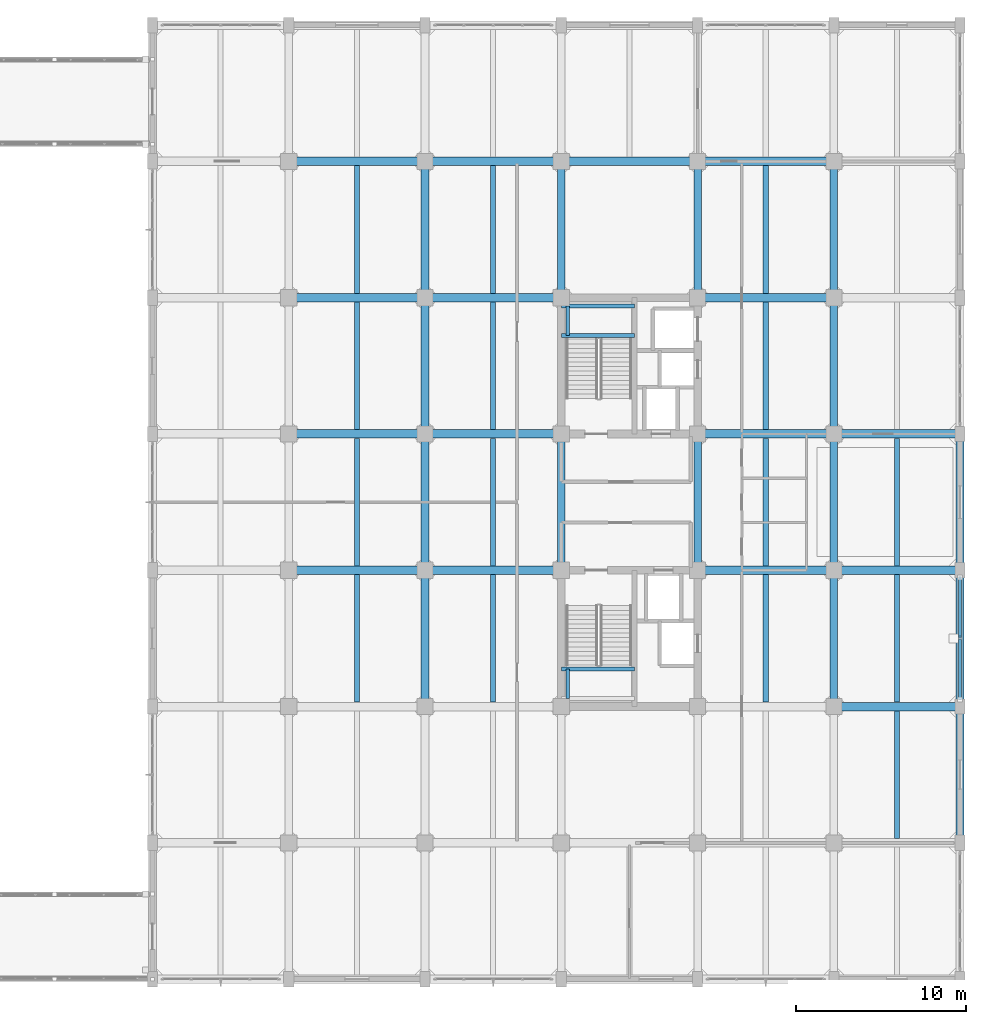
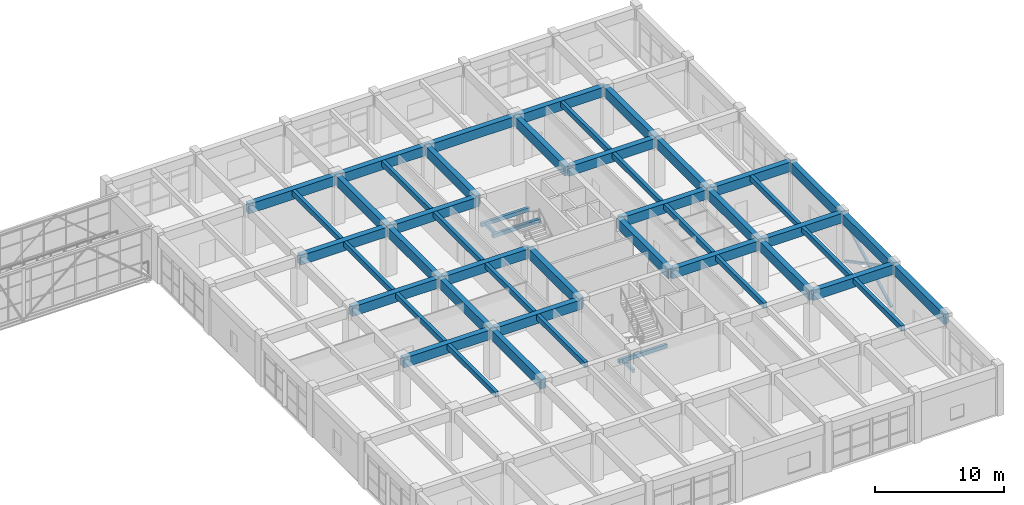
# One storey, part 190 of 248: 51 beams, 3 members.
"""IFC4 building model written with IfcOpenShell, lengths in metres."""

from ifc_helpers import new_model, si_unit, direction, frame, origin, origin_2d, place, context, subcontext, project, spatial, rectangle, hollow_rectangle, extrude, material, material_profile, profile_set, type_object, element, save


model = new_model("IFC4")

# Units and contexts
model_context = context("Model", 3, precision=1e-05, world=origin(), true_north=direction((0.0, 1.0)))
body_context = subcontext(model_context, "Body", "Model", "MODEL_VIEW")
ifc_project = project(units=[si_unit("LENGTHUNIT", "METRE"), si_unit("AREAUNIT", "SQUARE_METRE"), si_unit("VOLUMEUNIT", "CUBIC_METRE"), si_unit("PLANEANGLEUNIT", "RADIAN"), si_unit("MASSUNIT", "GRAM", prefix="KILO")], contexts=[model_context])

# Site, building, storey
site_placement = place(None, origin())
site = spatial("IfcSite", under=ifc_project, at=site_placement, CompositionType="ELEMENT")
building_placement = place(site_placement, origin())
building = spatial("IfcBuilding", under=site, at=building_placement, Name="Canggui Botanical Conservatory", CompositionType="ELEMENT")
storey_placement = place(building_placement, frame((0.0, 0.0, 5.39990234375)))
storey = spatial("IfcBuildingStorey", under=building, at=storey_placement, Name="L02", CompositionType="ELEMENT", Elevation=5.39990234375)

# Beams
ifc_material_1 = material(Name="Concrete C35", Category="concrete")
ifc_material_profile_1 = material_profile(ifc_material_1, rectangle(XDim=0.300048828125, YDim=0.5, at=origin_2d()), Name="RB 300x500")
ifc_profile_set_1 = profile_set([ifc_material_profile_1], Name="Concrete C35")
beam_type_1 = type_object("IfcBeamType", Name="BM-JST02", PredefinedType="JOIST", material=ifc_profile_set_1)
for number, where, z_axis, x_axis, name in (
    (1, (142.0, 42.2548828125, 4.27001953125), (0.0, 1.0, 0.0), (-1.0, 0.0, 0.0), "Secondary Floor Joist L02-2-3"),
    (2, (142.0, 50.2548828125, 4.27001953125), (0.0, 1.0, 0.0), (-1.0, 0.0, 0.0), "Secondary Floor Joist L02-2-4"),
    (3, (142.0, 58.2548828125, 4.27001953125), (0.0, 1.0, 0.0), (-1.0, 0.0, 0.0), "Secondary Floor Joist L02-2-5"),
    (4, (142.0, 66.2548828125, 4.27001953125), (0.0, 1.0, 0.0), (-1.0, 0.0, 0.0), "Secondary Floor Joist L02-2-6"),
    (5, (150.0, 42.2548828125, 4.27001953125), (0.0, 1.0, 0.0), (-1.0, 0.0, 0.0), "Secondary Floor Joist L02-3-3"),
    (6, (150.0, 50.2548828125, 4.27001953125), (0.0, 1.0, 0.0), (-1.0, 0.0, 0.0), "Secondary Floor Joist L02-3-4"),
    (7, (150.0, 58.2548828125, 4.27001953125), (0.0, 1.0, 0.0), (-1.0, 0.0, 0.0), "Secondary Floor Joist L02-3-5"),
    (8, (150.0, 66.2548828125, 4.27001953125), (0.0, 1.0, 0.0), (-1.0, 0.0, 0.0), "Secondary Floor Joist L02-3-6"),
    (9, (166.0, 42.2548828125, 4.27001953125), (0.0, 1.0, 0.0), (-1.0, 0.0, 0.0), "Secondary Floor Joist L02-5-3"),
    (10, (166.0, 50.2548828125, 4.27001953125), (0.0, 1.0, 0.0), (-1.0, 0.0, 0.0), "Secondary Floor Joist L02-5-4"),
    (11, (166.0, 58.2548828125, 4.27001953125), (0.0, 1.0, 0.0), (-1.0, 0.0, 0.0), "Secondary Floor Joist L02-5-5"),
    (12, (166.0, 66.2548828125, 4.27001953125), (0.0, 1.0, 0.0), (-1.0, 0.0, 0.0), "Secondary Floor Joist L02-5-6"),
    (13, (173.699951171875, 34.2548828125, 4.27001953125), (0.0, 1.0, 0.0), (-1.0, 0.0, 0.0), "Secondary Floor Joist L02-6-2"),
    (14, (173.699951171875, 42.2548828125, 4.27001953125), (0.0, 1.0, 0.0), (-1.0, 0.0, 0.0), "Secondary Floor Joist L02-6-3"),
    (15, (173.699951171875, 50.2548828125, 4.27001953125), (0.0, 1.0, 0.0), (-1.0, 0.0, 0.0), "Secondary Floor Joist L02-6-4"),
):
    element("IfcBeam", number, at=place(storey_placement, frame(where, z_axis=z_axis, x_axis=x_axis)), inside=storey, type_object=beam_type_1, Name=name, PredefinedType="JOIST", context=body_context, shape_type="SweptSolid", body=[
        extrude(rectangle(XDim=0.300048828125, YDim=0.5, at=origin_2d()), origin(), (0.0, 0.0, 1.0), 7.490234375),
    ])
ifc_material_profile_2 = material_profile(ifc_material_1, rectangle(XDim=0.5, YDim=0.89990234375, at=origin_2d()), Name="RB 500x900")
ifc_profile_set_2 = profile_set([ifc_material_profile_2], Name="Concrete C35")
beam_type_2 = type_object("IfcBeamType", Name="BM-KL03", PredefinedType="BEAM", material=ifc_profile_set_2)
beam_1_placement = place(storey_placement, frame((170.0, 42.0, 4.070068359375), z_axis=(1.0, 0.0, 0.0), x_axis=(0.0, 1.0, 0.0)))
element("IfcBeam", 16, at=beam_1_placement, inside=storey, type_object=beam_type_2, Name="Frame Girder L02 Y42-6", PredefinedType="BEAM", context=body_context, shape_type="SweptSolid", body=[
    extrude(rectangle(XDim=0.5, YDim=0.89990234375, at=origin_2d()), origin(), (0.0, 0.0, 1.0), 7.39990234375),
])
for number, where, z_axis, x_axis, name in (
    (17, (138.0, 50.0, 4.070068359375), (1.0, 0.0, 0.0), (0.0, 1.0, 0.0), "Frame Girder L02 Y50-2"),
    (18, (146.0, 50.0, 4.070068359375), (1.0, 0.0, 0.0), (0.0, 1.0, 0.0), "Frame Girder L02 Y50-3"),
    (19, (162.0, 50.0, 4.070068359375), (1.0, 0.0, 0.0), (0.0, 1.0, 0.0), "Frame Girder L02 Y50-5"),
):
    element("IfcBeam", number, at=place(storey_placement, frame(where, z_axis=z_axis, x_axis=x_axis)), inside=storey, type_object=beam_type_2, Name=name, PredefinedType="BEAM", context=body_context, shape_type="SweptSolid", body=[
        extrude(rectangle(XDim=0.5, YDim=0.89990234375, at=origin_2d()), origin(), (0.0, 0.0, 1.0), 8.0),
    ])
beam_2_placement = place(storey_placement, frame((170.0, 50.0, 4.070068359375), z_axis=(1.0, 0.0, 0.0), x_axis=(0.0, 1.0, 0.0)))
element("IfcBeam", 20, at=beam_2_placement, inside=storey, type_object=beam_type_2, Name="Frame Girder L02 Y50-6", PredefinedType="BEAM", context=body_context, shape_type="SweptSolid", body=[
    extrude(rectangle(XDim=0.5, YDim=0.89990234375, at=origin_2d()), origin(), (0.0, 0.0, 1.0), 7.39990234375),
])
for number, where, z_axis, x_axis, name in (
    (21, (138.0, 58.0, 4.070068359375), (1.0, 0.0, 0.0), (0.0, 1.0, 0.0), "Frame Girder L02 Y58-2"),
    (22, (146.0, 58.0, 4.070068359375), (1.0, 0.0, 0.0), (0.0, 1.0, 0.0), "Frame Girder L02 Y58-3"),
    (23, (162.0, 58.0, 4.070068359375), (1.0, 0.0, 0.0), (0.0, 1.0, 0.0), "Frame Girder L02 Y58-5"),
):
    element("IfcBeam", number, at=place(storey_placement, frame(where, z_axis=z_axis, x_axis=x_axis)), inside=storey, type_object=beam_type_2, Name=name, PredefinedType="BEAM", context=body_context, shape_type="SweptSolid", body=[
        extrude(rectangle(XDim=0.5, YDim=0.89990234375, at=origin_2d()), origin(), (0.0, 0.0, 1.0), 8.0),
    ])
beam_3_placement = place(storey_placement, frame((170.0, 58.0, 4.070068359375), z_axis=(1.0, 0.0, 0.0), x_axis=(0.0, 1.0, 0.0)))
element("IfcBeam", 24, at=beam_3_placement, inside=storey, type_object=beam_type_2, Name="Frame Girder L02 Y58-6", PredefinedType="BEAM", context=body_context, shape_type="SweptSolid", body=[
    extrude(rectangle(XDim=0.5, YDim=0.89990234375, at=origin_2d()), origin(), (0.0, 0.0, 1.0), 7.39990234375),
])
for number, where, z_axis, x_axis, name in (
    (25, (138.0, 66.0, 4.070068359375), (1.0, 0.0, 0.0), (0.0, 1.0, 0.0), "Frame Girder L02 Y66-2"),
    (26, (146.0, 66.0, 4.070068359375), (1.0, 0.0, 0.0), (0.0, 1.0, 0.0), "Frame Girder L02 Y66-3"),
    (27, (162.0, 66.0, 4.070068359375), (1.0, 0.0, 0.0), (0.0, 1.0, 0.0), "Frame Girder L02 Y66-5"),
    (28, (138.0, 74.0, 4.070068359375), (1.0, 0.0, 0.0), (0.0, 1.0, 0.0), "Frame Girder L02 Y74-2"),
    (29, (146.0, 74.0, 4.070068359375), (1.0, 0.0, 0.0), (0.0, 1.0, 0.0), "Frame Girder L02 Y74-3"),
    (30, (154.0, 74.0, 4.070068359375), (1.0, 0.0, 0.0), (0.0, 1.0, 0.0), "Frame Girder L02 Y74-4"),
    (31, (162.0, 74.0, 4.070068359375), (1.0, 0.0, 0.0), (0.0, 1.0, 0.0), "Frame Girder L02 Y74-5"),
):
    element("IfcBeam", number, at=place(storey_placement, frame(where, z_axis=z_axis, x_axis=x_axis)), inside=storey, type_object=beam_type_2, Name=name, PredefinedType="BEAM", context=body_context, shape_type="SweptSolid", body=[
        extrude(rectangle(XDim=0.5, YDim=0.89990234375, at=origin_2d()), origin(), (0.0, 0.0, 1.0), 8.0),
    ])
ifc_material_profile_3 = material_profile(ifc_material_1, rectangle(XDim=0.449951171875, YDim=0.949951171875, at=origin_2d()), Name="RB 450x950")
ifc_profile_set_3 = profile_set([ifc_material_profile_3], Name="Concrete C35")
beam_type_3 = type_object("IfcBeamType", Name="BM-KL04", PredefinedType="BEAM", material=ifc_profile_set_3)
for number, where, z_axis, x_axis, name in (
    (32, (146.0, 42.0, 4.045166015625), (0.0, 1.0, 0.0), (-1.0, 0.0, 0.0), "Frame Girder L02 X146-3"),
    (33, (146.0, 50.0, 4.045166015625), (0.0, 1.0, 0.0), (-1.0, 0.0, 0.0), "Frame Girder L02 X146-4"),
    (34, (146.0, 58.0, 4.045166015625), (0.0, 1.0, 0.0), (-1.0, 0.0, 0.0), "Frame Girder L02 X146-5"),
    (35, (146.0, 66.0, 4.045166015625), (0.0, 1.0, 0.0), (-1.0, 0.0, 0.0), "Frame Girder L02 X146-6"),
    (36, (154.0, 50.0, 4.045166015625), (0.0, 1.0, 0.0), (-1.0, 0.0, 0.0), "Frame Girder L02 X154-4"),
    (37, (154.0, 66.0, 4.045166015625), (0.0, 1.0, 0.0), (-1.0, 0.0, 0.0), "Frame Girder L02 X154-6"),
    (38, (162.0, 50.0, 4.045166015625), (0.0, 1.0, 0.0), (-1.0, 0.0, 0.0), "Frame Girder L02 X162-4"),
    (39, (162.0, 66.0, 4.045166015625), (0.0, 1.0, 0.0), (-1.0, 0.0, 0.0), "Frame Girder L02 X162-6"),
    (40, (170.0, 42.0, 4.045166015625), (0.0, 1.0, 0.0), (-1.0, 0.0, 0.0), "Frame Girder L02 X170-3"),
    (41, (170.0, 50.0, 4.045166015625), (0.0, 1.0, 0.0), (-1.0, 0.0, 0.0), "Frame Girder L02 X170-4"),
    (42, (170.0, 58.0, 4.045166015625), (0.0, 1.0, 0.0), (-1.0, 0.0, 0.0), "Frame Girder L02 X170-5"),
    (43, (170.0, 66.0, 4.045166015625), (0.0, 1.0, 0.0), (-1.0, 0.0, 0.0), "Frame Girder L02 X170-6"),
    (44, (177.39990234375, 34.0, 4.045166015625), (0.0, 1.0, 0.0), (-1.0, 0.0, 0.0), "Frame Girder L02 X178-2"),
    (45, (177.39990234375, 42.0, 4.045166015625), (0.0, 1.0, 0.0), (-1.0, 0.0, 0.0), "Frame Girder L02 X178-3"),
    (46, (177.39990234375, 50.0, 4.045166015625), (0.0, 1.0, 0.0), (-1.0, 0.0, 0.0), "Frame Girder L02 X178-4"),
):
    element("IfcBeam", number, at=place(storey_placement, frame(where, z_axis=z_axis, x_axis=x_axis)), inside=storey, type_object=beam_type_3, Name=name, PredefinedType="BEAM", context=body_context, shape_type="SweptSolid", body=[
        extrude(rectangle(XDim=0.449951171875, YDim=0.949951171875, at=origin_2d()), origin(), (0.0, 0.0, 1.0), 8.0),
    ])
ifc_material_profile_4 = material_profile(ifc_material_1, rectangle(XDim=0.239990234375, YDim=0.360107421875, at=origin_2d()), Name="RB 240x360")
ifc_profile_set_4 = profile_set([ifc_material_profile_4], Name="Concrete C35")
beam_type_4 = type_object("IfcBeamType", Name="BM-LIN01", PredefinedType="LINTEL", material=ifc_profile_set_4)
for number, where, z_axis, x_axis, name in (
    (47, (154.0, 44.216552734375, 2.02001953125), (1.0, 0.0, 0.0), (0.0, 1.0, 0.0), "ST-T1 Half-Landing Ledger Beam L02-1.2"),
    (48, (154.0, 63.783447265625, 2.02001953125), (1.0, 0.0, 0.0), (0.0, 1.0, 0.0), "ST-T2 Half-Landing Ledger Beam L02-1.1"),
    (49, (154.0, 65.52001953125, 2.02001953125), (1.0, 0.0, 0.0), (0.0, 1.0, 0.0), "ST-T2 Half-Landing Ledger Beam L02-1.2"),
):
    element("IfcBeam", number, at=place(storey_placement, frame(where, z_axis=z_axis, x_axis=x_axis)), inside=storey, type_object=beam_type_4, Name=name, PredefinedType="LINTEL", context=body_context, shape_type="SweptSolid", body=[
        extrude(rectangle(XDim=0.239990234375, YDim=0.360107421875, at=origin_2d()), origin(), (0.0, 0.0, 1.0), 4.300048828125),
    ])
ifc_material_profile_5 = material_profile(ifc_material_1, rectangle(XDim=0.199951171875, YDim=0.320068359375, at=origin_2d()), Name="RB 200x320")
ifc_profile_set_5 = profile_set([ifc_material_profile_5], Name="Concrete C35")
beam_type_5 = type_object("IfcBeamType", Name="BM-LIN02", PredefinedType="LINTEL", material=ifc_profile_set_5)
for number, where, z_axis, x_axis, name in (
    (50, (154.3798828125, 42.47998046875, 2.02001953125), (0.0, 1.0, 0.0), (-1.0, 0.0, 0.0), "ST-T1 Half-Landing Edge Ledger L02-1.3"),
    (51, (154.3798828125, 63.783447265625, 2.02001953125), (0.0, 1.0, 0.0), (-1.0, 0.0, 0.0), "ST-T2 Half-Landing Edge Ledger L02-1.3"),
):
    element("IfcBeam", number, at=place(storey_placement, frame(where, z_axis=z_axis, x_axis=x_axis)), inside=storey, type_object=beam_type_5, Name=name, PredefinedType="LINTEL", context=body_context, shape_type="SweptSolid", body=[
        extrude(rectangle(XDim=0.199951171875, YDim=0.320068359375, at=origin_2d()), origin(), (0.0, 0.0, 1.0), 1.736572265625),
    ])

# Members
ifc_material_2 = material(Name="Steel Q355B", Category="steel")
ifc_material_profile_6 = material_profile(ifc_material_2, hollow_rectangle(XDim=0.199951171875, YDim=0.199951171875, WallThickness=0.008056640625, at=origin_2d()), Name="SHS 200x200x8")
ifc_profile_set_6 = profile_set([ifc_material_profile_6], Name="Steel Q355B")
member_type = type_object("IfcMemberType", Name="MEM-ZC02", PredefinedType="BRACE", material=ifc_profile_set_6)
member_placement = place(storey_placement, frame((177.39990234375, 42.419921875, 0.050048828125), z_axis=(0.0, 0.883820167604, 0.4678267963), x_axis=(-1.0, 0.0, 0.0)))
element("IfcMember", 52, at=member_placement, inside=storey, type_object=member_type, Name="Seismic Concentric X-Brace Continuous Diagonal L02-A", PredefinedType="BRACE", context=body_context, shape_type="SweptSolid", body=[
    extrude(hollow_rectangle(XDim=0.199951171875, YDim=0.199951171875, WallThickness=0.008056640625, at=origin_2d()), origin(), (0.0, 0.0, 1.0), 8.101318359375),
])
for number, where, z_axis, x_axis, name in (
    (53, (177.39990234375, 49.580078125, 0.050048828125), (0.0, -0.883828601384, 0.467810862824), (1.0, 0.0, 0.0), "Seismic Concentric X-Brace Lower Split Diagonal L02-B1"),
    (54, (177.39990234375, 45.90283203125, 1.99658203125), (0.0, -0.883828601384, 0.467810862824), (1.0, 0.0, 0.0), "Seismic Concentric X-Brace Upper Split Diagonal L02-B2"),
):
    element("IfcMember", number, at=place(storey_placement, frame(where, z_axis=z_axis, x_axis=x_axis)), inside=storey, type_object=member_type, Name=name, PredefinedType="BRACE", context=body_context, shape_type="SweptSolid", body=[
        extrude(hollow_rectangle(XDim=0.199951171875, YDim=0.199951171875, WallThickness=0.008056640625, at=origin_2d()), origin(), (0.0, 0.0, 1.0), 3.940673828125),
    ])

save(model, "model.ifc")
